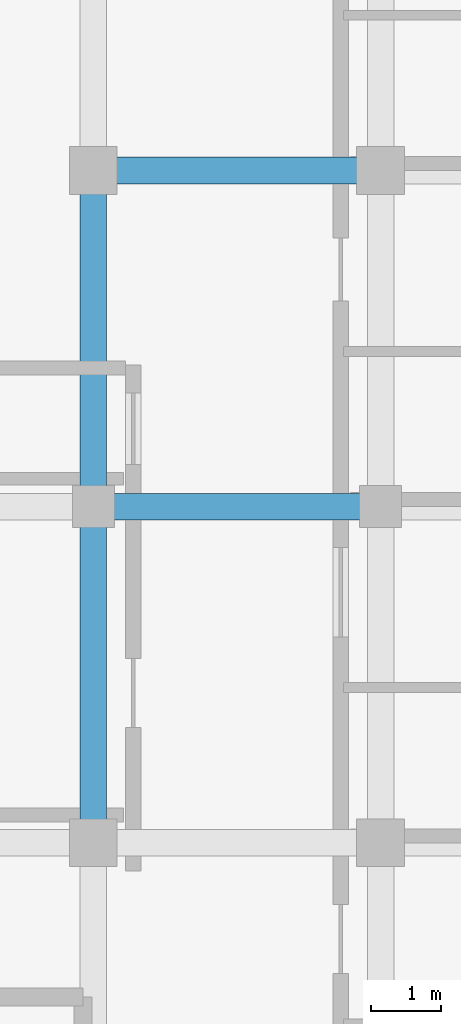
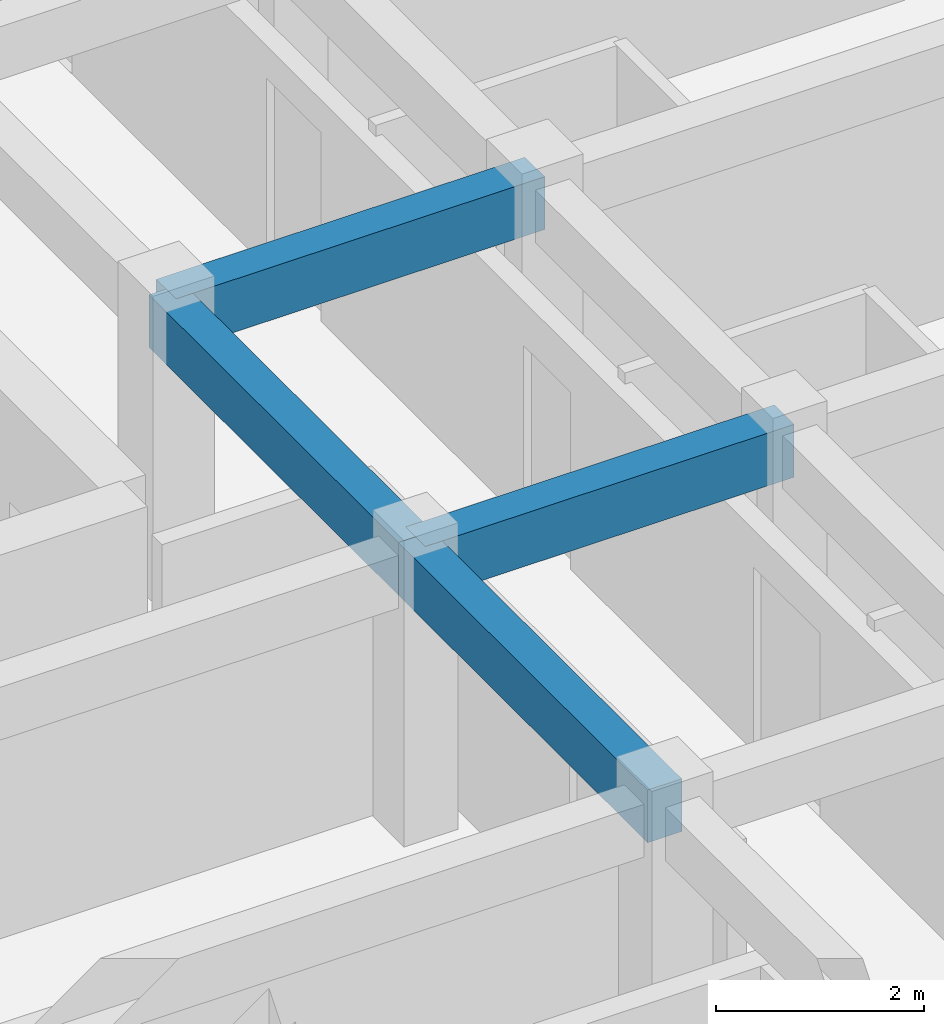
# One storey, part 28 of 53: 4 beams.
"""IFC4 building model written with IfcOpenShell, lengths in metres."""

from ifc_helpers import new_model, si_unit, direction, frame, origin, origin_2d, place, context, subcontext, project, spatial, rectangle, extrude, material, material_profile, profile_set, type_object, element, save


model = new_model("IFC4")

# Units and contexts
model_context = context("Model", 3, precision=1e-05, world=origin(), true_north=direction((0.0, 1.0)))
body_context = subcontext(model_context, "Body", "Model", "MODEL_VIEW")
ifc_project = project(units=[si_unit("LENGTHUNIT", "METRE"), si_unit("AREAUNIT", "SQUARE_METRE"), si_unit("VOLUMEUNIT", "CUBIC_METRE"), si_unit("PLANEANGLEUNIT", "RADIAN"), si_unit("MASSUNIT", "GRAM", prefix="KILO")], contexts=[model_context])

# Site, building, storey
site_placement = place(None, origin())
site = spatial("IfcSite", under=ifc_project, at=site_placement, CompositionType="ELEMENT")
building_placement = place(site_placement, origin())
building = spatial("IfcBuilding", under=site, at=building_placement, Name="Nakhvara Creek Congress Hotel", CompositionType="ELEMENT")
storey_placement = place(building_placement, frame((0.0, 0.0, 35.39990234375)))
storey = spatial("IfcBuildingStorey", under=building, at=storey_placement, Name="L08", CompositionType="ELEMENT", Elevation=35.39990234375)

# Beams
ifc_material = material(Name="Concrete C40/50", Category="concrete")
ifc_material_profile = material_profile(ifc_material, rectangle(XDim=0.3798828125, YDim=0.6201171875, at=origin_2d()), Name="RC-BM 380x620", Category="LoadBearing")
ifc_profile_set = profile_set([ifc_material_profile], Name="Concrete C40/50")
beam_type = type_object("IfcBeamType", Name="BM-RC-380X620", PredefinedType="BEAM", material=ifc_profile_set)
beam_1_placement = place(storey_placement, frame((162.35009765625, 96.0, 3.050048828125), z_axis=(0.0, 1.0, 0.0), x_axis=(-1.0, 0.0, 0.0)))
element("IfcBeam", 1, at=beam_1_placement, inside=storey, type_object=beam_type, Name="Beam B10-L08-2464", PredefinedType="BEAM", context=body_context, shape_type="SweptSolid", body=[
    extrude(rectangle(XDim=0.3798828125, YDim=0.6201171875, at=origin_2d()), origin(), (0.0, 0.0, 1.0), 4.800048828125),
])
beam_2_placement = place(storey_placement, frame((162.35009765625, 105.60009765625, 3.050048828125), z_axis=(1.0, 0.0, 0.0), x_axis=(0.0, 1.0, 0.0)))
element("IfcBeam", 2, at=beam_2_placement, inside=storey, type_object=beam_type, Name="Beam B10-L08-2465", PredefinedType="BEAM", context=body_context, shape_type="SweptSolid", body=[
    extrude(rectangle(XDim=0.3798828125, YDim=0.6201171875, at=origin_2d()), origin(), (0.0, 0.0, 1.0), 4.099853515625),
])
beam_3_placement = place(storey_placement, frame((162.35009765625, 100.800048828125, 3.050048828125), z_axis=(0.0, 1.0, 0.0), x_axis=(-1.0, 0.0, 0.0)))
element("IfcBeam", 3, at=beam_3_placement, inside=storey, type_object=beam_type, Name="Beam B10-L08-2466", PredefinedType="BEAM", context=body_context, shape_type="SweptSolid", body=[
    extrude(rectangle(XDim=0.3798828125, YDim=0.6201171875, at=origin_2d()), origin(), (0.0, 0.0, 1.0), 4.800048828125),
])
beam_4_placement = place(storey_placement, frame((162.35009765625, 100.800048828125, 3.050048828125), z_axis=(1.0, 0.0, 0.0), x_axis=(0.0, 1.0, 0.0)))
element("IfcBeam", 4, at=beam_4_placement, inside=storey, type_object=beam_type, Name="Beam B10-L08-2522", PredefinedType="BEAM", context=body_context, shape_type="SweptSolid", body=[
    extrude(rectangle(XDim=0.3798828125, YDim=0.6201171875, at=origin_2d()), origin(), (0.0, 0.0, 1.0), 4.099853515625),
])

save(model, "model.ifc")
